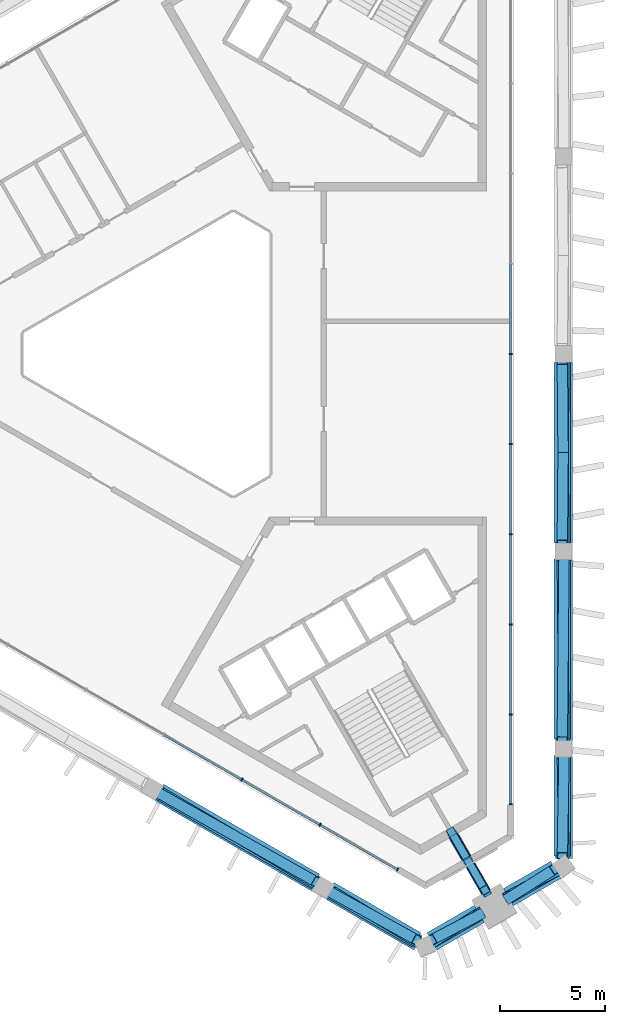
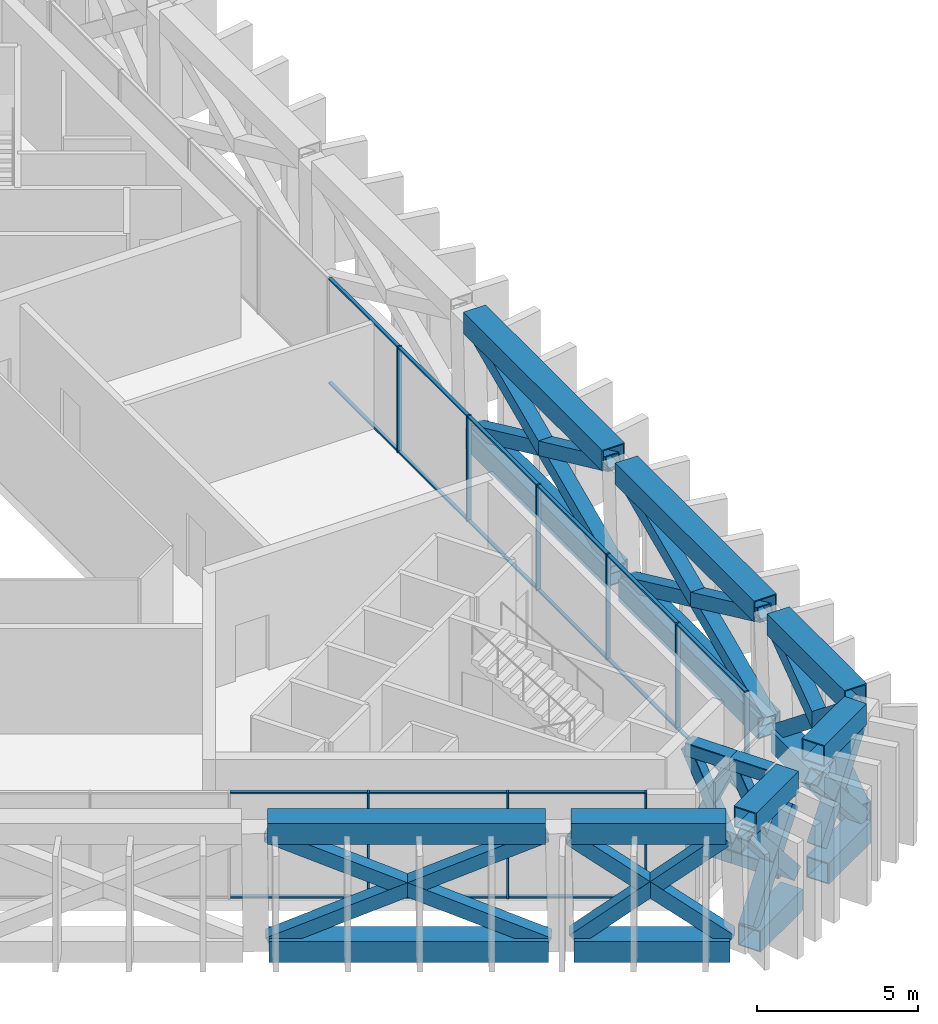
# One storey, part 4 of 12: 63 members, 2 elements without a shape of their own.
"""IFC4 building model written with IfcOpenShell, lengths in metres."""

from ifc_helpers import new_model, si_unit, direction, frame, origin, origin_2d, place, context, subcontext, project, spatial, rectangle, hollow_rectangle, extrude, material, layer, layer_set, material_profile, profile_set, type_object, element, aggregate, save


model = new_model("IFC4")

# Units and contexts
model_context = context("Model", 3, precision=1e-05, world=origin(), true_north=direction((0.0, 1.0)))
body_context = subcontext(model_context, "Body", "Model", "MODEL_VIEW")
ifc_project = project(units=[si_unit("LENGTHUNIT", "METRE"), si_unit("AREAUNIT", "SQUARE_METRE"), si_unit("VOLUMEUNIT", "CUBIC_METRE"), si_unit("PLANEANGLEUNIT", "RADIAN"), si_unit("MASSUNIT", "GRAM", prefix="KILO")], contexts=[model_context])

# Site, building, storey
site_placement = place(None, origin())
site = spatial("IfcSite", under=ifc_project, at=site_placement, CompositionType="ELEMENT")
building_placement = place(site_placement, origin())
building = spatial("IfcBuilding", under=site, at=building_placement, Name="Jabali Bay Hotel Tower and Convention Centre", CompositionType="ELEMENT")
storey_placement = place(building_placement, frame((0.0, 0.0, 300.39990234375)))
storey = spatial("IfcBuildingStorey", under=building, at=storey_placement, Name="L74", CompositionType="ELEMENT", Elevation=300.39990234375)

# Members
ifc_material_1 = material(Name="Steel Q420GJC", Category="steel")
ifc_material_profile_1 = material_profile(ifc_material_1, hollow_rectangle(XDim=0.5, YDim=0.5, WallThickness=0.030029296875, at=origin_2d()), Name="Belt brace 500x500x30")
ifc_profile_set_1 = profile_set([ifc_material_profile_1], Name="Steel Q420GJC")
member_type_1 = type_object("IfcMemberType", Name="Belt brace 500x500x30", PredefinedType="BRACE", material=ifc_profile_set_1)
member_1_placement = place(storey_placement, frame((74.2421875, 58.974853515625, 0.18798828125), z_axis=(0.788056243037, -0.445042764363, 0.425328456253), x_axis=(0.491738735816, 0.870742795375, 0.0)))
element("IfcMember", 1, at=member_1_placement, inside=storey, type_object=member_type_1, Name="Belt brace T6 F2.4-F2.5 x1", PredefinedType="BRACE", context=body_context, shape_type="SweptSolid", body=[
    extrude(hollow_rectangle(XDim=0.5, YDim=0.5, WallThickness=0.030029296875, at=origin_2d()), origin(), (0.0, 0.0, 1.0), 9.46142578125),
])
member_2_placement = place(storey_placement, frame((81.73876953125, 54.646728515625, 0.185302734375), z_axis=(-0.781610594153, 0.461060141076, 0.42012905805), x_axis=(-0.508075202316, -0.861312712545, 0.0)))
element("IfcMember", 2, at=member_2_placement, inside=storey, type_object=member_type_1, Name="Belt brace T6 F2.4-F2.5 x2", PredefinedType="BRACE", context=body_context, shape_type="SweptSolid", body=[
    extrude(hollow_rectangle(XDim=0.5, YDim=0.5, WallThickness=0.030029296875, at=origin_2d()), origin(), (0.0, 0.0, 1.0), 9.59130859375),
])
member_3_placement = place(storey_placement, frame((82.432861328125, 54.2490234375, 0.3203125), z_axis=(0.682381240318, -0.379371185455, 0.624846658396), x_axis=(0.485907655283, 0.874010154711, 0.0)))
element("IfcMember", 3, at=member_3_placement, inside=storey, type_object=member_type_1, Name="Belt brace T6 F2.5-V5 x1", PredefinedType="BRACE", context=body_context, shape_type="SweptSolid", body=[
    extrude(hollow_rectangle(XDim=0.5, YDim=0.5, WallThickness=0.030029296875, at=origin_2d()), origin(), (0.0, 0.0, 1.0), 6.01708984375),
])
member_4_placement = place(storey_placement, frame((86.611328125, 51.83642578125, 0.307861328125), z_axis=(-0.680158589643, 0.406930808505, 0.609747168935), x_axis=(-0.51341517996, -0.85814034574, 0.0)))
element("IfcMember", 4, at=member_4_placement, inside=storey, type_object=member_type_1, Name="Belt brace T6 F2.5-V5 x2", PredefinedType="BRACE", context=body_context, shape_type="SweptSolid", body=[
    extrude(hollow_rectangle(XDim=0.5, YDim=0.5, WallThickness=0.030029296875, at=origin_2d()), origin(), (0.0, 0.0, 1.0), 6.20654296875),
])
member_5_placement = place(storey_placement, frame((87.292724609375, 51.844970703125, 0.458984375), z_axis=(0.555236915082, 0.351223877534, 0.75389240345), x_axis=(-0.534589039241, 0.845112157718, 0.0)))
element("IfcMember", 5, at=member_5_placement, inside=storey, type_object=member_type_1, Name="Belt brace T6 V5-M2 x1", PredefinedType="BRACE", context=body_context, shape_type="SweptSolid", body=[
    extrude(hollow_rectangle(XDim=0.5, YDim=0.5, WallThickness=0.030029296875, at=origin_2d()), origin(), (0.0, 0.0, 1.0), 4.010009765625),
])
for number, where, z_axis, x_axis, name in (
    (6, (89.564208984375, 53.17529296875, 0.921142578125), (-0.580697559243, -0.304608205437, 0.754986215682), (0.464525419393, -0.885559786089, 0.0), "Belt brace T6 V5-M2 x2"),
    (7, (90.94873046875, 53.974609375, 0.921142578125), (0.554137713536, 0.35059561532, 0.754992787353), (-0.534662072622, 0.845065954881, 0.0), "Belt brace T6 M2-V0 x1"),
):
    element("IfcMember", number, at=place(storey_placement, frame(where, z_axis=z_axis, x_axis=x_axis)), inside=storey, type_object=member_type_1, Name=name, PredefinedType="BRACE", context=body_context, shape_type="SweptSolid", body=[
        extrude(hollow_rectangle(XDim=0.5, YDim=0.5, WallThickness=0.030029296875, at=origin_2d()), origin(), (0.0, 0.0, 1.0), 3.997802734375),
    ])
member_6_placement = place(storey_placement, frame((93.23681640625, 55.276611328125, 0.458984375), z_axis=(-0.58179025344, -0.305202442496, 0.753904218119), x_axis=(0.464550555432, -0.885546600382, 0.0)))
element("IfcMember", 8, at=member_6_placement, inside=storey, type_object=member_type_1, Name="Belt brace T6 M2-V0 x2", PredefinedType="BRACE", context=body_context, shape_type="SweptSolid", body=[
    extrude(hollow_rectangle(XDim=0.5, YDim=0.5, WallThickness=0.030029296875, at=origin_2d()), origin(), (0.0, 0.0, 1.0), 4.010009765625),
])
member_7_placement = place(storey_placement, frame((93.584716796875, 55.862548828125, 0.307861328125), z_axis=(-0.012312146795, 0.79250102709, 0.609746285845), x_axis=(-0.999879341117, -0.01553393725, 0.0)))
element("IfcMember", 9, at=member_7_placement, inside=storey, type_object=member_type_1, Name="Belt brace T6 V0-F0.1 x1", PredefinedType="BRACE", context=body_context, shape_type="SweptSolid", body=[
    extrude(hollow_rectangle(XDim=0.5, YDim=0.5, WallThickness=0.030029296875, at=origin_2d()), origin(), (0.0, 0.0, 1.0), 6.20654296875),
])
member_8_placement = place(storey_placement, frame((93.58447265625, 60.6875, 0.3203125), z_axis=(-0.012618586982, -0.780648275029, 0.6248432139), x_axis=(0.999869384249, -0.01616212986, 0.0)))
element("IfcMember", 10, at=member_8_placement, inside=storey, type_object=member_type_1, Name="Belt brace T6 V0-F0.1 x2", PredefinedType="BRACE", context=body_context, shape_type="SweptSolid", body=[
    extrude(hollow_rectangle(XDim=0.5, YDim=0.5, WallThickness=0.030029296875, at=origin_2d()), origin(), (0.0, 0.0, 1.0), 6.01708984375),
])
member_9_placement = place(storey_placement, frame((93.587158203125, 61.4873046875, 0.185302734375), z_axis=(-0.008476336813, 0.907426219337, 0.420125943229), x_axis=(-0.999956375009, -0.009340667982, 0.0)))
element("IfcMember", 11, at=member_9_placement, inside=storey, type_object=member_type_1, Name="Belt brace T6 F0.1-F0.2 x1", PredefinedType="BRACE", context=body_context, shape_type="SweptSolid", body=[
    extrude(hollow_rectangle(XDim=0.5, YDim=0.5, WallThickness=0.030029296875, at=origin_2d()), origin(), (0.0, 0.0, 1.0), 9.59130859375),
])
member_10_placement = place(storey_placement, frame((93.587158203125, 70.143798828125, 0.18798828125), z_axis=(-0.008592739082, -0.904998633867, 0.425327682539), x_axis=(0.999954927874, -0.009494325701, 0.0)))
element("IfcMember", 12, at=member_10_placement, inside=storey, type_object=member_type_1, Name="Belt brace T6 F0.1-F0.2 x2", PredefinedType="BRACE", context=body_context, shape_type="SweptSolid", body=[
    extrude(hollow_rectangle(XDim=0.5, YDim=0.5, WallThickness=0.030029296875, at=origin_2d()), origin(), (0.0, 0.0, 1.0), 9.46142578125),
])
member_11_placement = place(storey_placement, frame((93.587158203125, 70.943603515625, 0.186279296875), z_axis=(-0.008514812044, 0.90663570761, 0.421828391247), x_axis=(-0.999955901302, -0.009391243341, 0.0)))
element("IfcMember", 13, at=member_11_placement, inside=storey, type_object=member_type_1, Name="Belt brace T6 F0.2-F0.3 x1", PredefinedType="BRACE", context=body_context, shape_type="SweptSolid", body=[
    extrude(hollow_rectangle(XDim=0.5, YDim=0.5, WallThickness=0.030029296875, at=origin_2d()), origin(), (0.0, 0.0, 1.0), 9.5478515625),
])
member_12_placement = place(storey_placement, frame((93.587158203125, 79.60009765625, 0.187255859375), z_axis=(-0.008553514534, -0.905824895, 0.423565929918), x_axis=(0.999955419837, -0.009442369341, 0.0)))
element("IfcMember", 14, at=member_12_placement, inside=storey, type_object=member_type_1, Name="Belt brace T6 F0.2-F0.3 x2", PredefinedType="BRACE", context=body_context, shape_type="SweptSolid", body=[
    extrude(hollow_rectangle(XDim=0.5, YDim=0.5, WallThickness=0.030029296875, at=origin_2d()), origin(), (0.0, 0.0, 1.0), 9.504638671875),
])
ifc_material_profile_2 = material_profile(ifc_material_1, hollow_rectangle(XDim=0.800048828125, YDim=0.800048828125, WallThickness=0.0400390625, at=origin_2d()), Name="Belt chord 800x800x40")
ifc_profile_set_2 = profile_set([ifc_material_profile_2], Name="Steel Q420GJC")
member_type_2 = type_object("IfcMemberType", Name="Belt chord 800x800x40", PredefinedType="CHORD", material=ifc_profile_set_2)
member_13_placement = place(storey_placement, frame((74.240478515625, 58.9716796875, 0.0), z_axis=(0.866026837124, -0.499997517375, 0.0), x_axis=(0.499997517375, 0.866026837124, 0.0)))
element("IfcMember", 15, at=member_13_placement, inside=storey, type_object=member_type_2, Name="Belt chord T6 F2.4-F2.5", PredefinedType="CHORD", context=body_context, shape_type="SweptSolid", body=[
    extrude(hollow_rectangle(XDim=0.800048828125, YDim=0.800048828125, WallThickness=0.0400390625, at=origin_2d()), origin(), (0.0, 0.0, 1.0), 8.65625),
])
member_14_placement = place(storey_placement, frame((82.4296875, 54.243408203125, 0.0), z_axis=(0.866033069333, -0.499986722646, 0.0), x_axis=(0.499986722646, 0.866033069333, 0.0)))
element("IfcMember", 16, at=member_14_placement, inside=storey, type_object=member_type_2, Name="Belt chord T6 F2.5-V5", PredefinedType="CHORD", context=body_context, shape_type="SweptSolid", body=[
    extrude(hollow_rectangle(XDim=0.800048828125, YDim=0.800048828125, WallThickness=0.0400390625, at=origin_2d()), origin(), (0.0, 0.0, 1.0), 4.824951171875),
])
member_15_placement = place(storey_placement, frame((87.301025390625, 51.8310546875, 0.0), z_axis=(0.866048090802, 0.499960702874, 0.0), x_axis=(-0.499960702874, 0.866048090802, 0.0)))
element("IfcMember", 17, at=member_15_placement, inside=storey, type_object=member_type_2, Name="Belt chord T6 V5-M2", PredefinedType="CHORD", context=body_context, shape_type="SweptSolid", body=[
    extrude(hollow_rectangle(XDim=0.800048828125, YDim=0.800048828125, WallThickness=0.0400390625, at=origin_2d()), origin(), (0.0, 0.0, 1.0), 2.631591796875),
])
member_16_placement = place(storey_placement, frame((90.965576171875, 53.94677734375, 0.0), z_axis=(0.866024898077, 0.500000875909, 0.0), x_axis=(-0.500000875909, 0.866024898077, 0.0)))
element("IfcMember", 18, at=member_16_placement, inside=storey, type_object=member_type_2, Name="Belt chord T6 M2-V0", PredefinedType="CHORD", context=body_context, shape_type="SweptSolid", body=[
    extrude(hollow_rectangle(XDim=0.800048828125, YDim=0.800048828125, WallThickness=0.0400390625, at=origin_2d()), origin(), (0.0, 0.0, 1.0), 2.63134765625),
])
member_17_placement = place(storey_placement, frame((93.5908203125, 55.862548828125, 0.0), z_axis=(0.0, 1.0, 0.0), x_axis=(-1.0, 0.0, 0.0)))
element("IfcMember", 19, at=member_17_placement, inside=storey, type_object=member_type_2, Name="Belt chord T6 V0-F0.1", PredefinedType="CHORD", context=body_context, shape_type="SweptSolid", body=[
    extrude(hollow_rectangle(XDim=0.800048828125, YDim=0.800048828125, WallThickness=0.0400390625, at=origin_2d()), origin(), (0.0, 0.0, 1.0), 4.82470703125),
])
for number, where, z_axis, x_axis, name in (
    (20, (93.5908203125, 61.4873046875, 0.0), (0.0, 1.0, 0.0), (-1.0, 0.0, 0.0), "Belt chord T6 F0.1-F0.2"),
    (21, (93.5908203125, 70.943603515625, 0.0), (0.0, 1.0, 0.0), (-1.0, 0.0, 0.0), "Belt chord T6 F0.2-F0.3"),
):
    element("IfcMember", number, at=place(storey_placement, frame(where, z_axis=z_axis, x_axis=x_axis)), inside=storey, type_object=member_type_2, Name=name, PredefinedType="CHORD", context=body_context, shape_type="SweptSolid", body=[
        extrude(hollow_rectangle(XDim=0.800048828125, YDim=0.800048828125, WallThickness=0.0400390625, at=origin_2d()), origin(), (0.0, 0.0, 1.0), 8.656494140625),
    ])
member_18_placement = place(storey_placement, frame((74.244140625, 59.072021484375, 4.400146484375), z_axis=(0.866028807769, -0.499994104079, 0.0), x_axis=(0.499994104079, 0.866028807769, 0.0)))
element("IfcMember", 22, at=member_18_placement, inside=storey, type_object=member_type_2, Name="Belt chord T6 F2.4-F2.5", PredefinedType="CHORD", context=body_context, shape_type="SweptSolid", body=[
    extrude(hollow_rectangle(XDim=0.800048828125, YDim=0.800048828125, WallThickness=0.0400390625, at=origin_2d()), origin(), (0.0, 0.0, 1.0), 8.609375),
])
member_19_placement = place(storey_placement, frame((82.392822265625, 54.367431640625, 4.400146484375), z_axis=(0.86602690036, -0.499997407846, 0.0), x_axis=(0.499997407846, 0.86602690036, 0.0)))
element("IfcMember", 23, at=member_19_placement, inside=storey, type_object=member_type_2, Name="Belt chord T6 F2.5-V5", PredefinedType="CHORD", context=body_context, shape_type="SweptSolid", body=[
    extrude(hollow_rectangle(XDim=0.800048828125, YDim=0.800048828125, WallThickness=0.0400390625, at=origin_2d()), origin(), (0.0, 0.0, 1.0), 4.791015625),
])
for number, where, z_axis, x_axis, name in (
    (24, (87.23486328125, 51.971923828125, 4.400146484375), (0.866042736469, 0.499969977708, 0.0), (-0.499969977708, 0.866042736469, 0.0), "Belt chord T6 V5-M2"),
    (25, (90.88818359375, 54.0810546875, 4.400146484375), (0.866042736469, 0.499969977708, 0.0), (-0.499969977708, 0.866042736469, 0.0), "Belt chord T6 M2-V0"),
):
    element("IfcMember", number, at=place(storey_placement, frame(where, z_axis=z_axis, x_axis=x_axis)), inside=storey, type_object=member_type_2, Name=name, PredefinedType="CHORD", context=body_context, shape_type="SweptSolid", body=[
        extrude(hollow_rectangle(XDim=0.800048828125, YDim=0.800048828125, WallThickness=0.0400390625, at=origin_2d()), origin(), (0.0, 0.0, 1.0), 2.618408203125),
    ])
member_20_placement = place(storey_placement, frame((93.502197265625, 55.990234375, 4.400146484375), z_axis=(0.0, 1.0, 0.0), x_axis=(-1.0, 0.0, 0.0)))
element("IfcMember", 26, at=member_20_placement, inside=storey, type_object=member_type_2, Name="Belt chord T6 V0-F0.1", PredefinedType="CHORD", context=body_context, shape_type="SweptSolid", body=[
    extrude(hollow_rectangle(XDim=0.800048828125, YDim=0.800048828125, WallThickness=0.0400390625, at=origin_2d()), origin(), (0.0, 0.0, 1.0), 4.791015625),
])
for number, where, z_axis, x_axis, name in (
    (27, (93.502197265625, 61.581298828125, 4.400146484375), (0.0, 1.0, 0.0), (-1.0, 0.0, 0.0), "Belt chord T6 F0.1-F0.2"),
    (28, (93.502197265625, 70.99072265625, 4.400146484375), (0.0, 1.0, 0.0), (-1.0, 0.0, 0.0), "Belt chord T6 F0.2-F0.3"),
):
    element("IfcMember", number, at=place(storey_placement, frame(where, z_axis=z_axis, x_axis=x_axis)), inside=storey, type_object=member_type_2, Name=name, PredefinedType="CHORD", context=body_context, shape_type="SweptSolid", body=[
        extrude(hollow_rectangle(XDim=0.800048828125, YDim=0.800048828125, WallThickness=0.0400390625, at=origin_2d()), origin(), (0.0, 0.0, 1.0), 8.609375),
    ])

# Curtain wall, members
ifc_material_2 = material(Name="Aluminium and glass", Category="aluminium")
ifc_layer = layer(ifc_material_2, 0.159912109375)
ifc_layer_set = layer_set([ifc_layer], Name="Aluminium and glass")
curtain_wall_type = type_object("IfcCurtainWallType", Name="CW3 curtain wall", PredefinedType="NOTDEFINED", material=ifc_layer_set)
curtain_wall_1_placement = place(storey_placement, origin())
curtain_wall_1 = element("IfcCurtainWall", 29, at=curtain_wall_1_placement, inside=storey, type_object=curtain_wall_type, Name="CW3 curtain wall east face L74", PredefinedType="NOTDEFINED")
ifc_material_3 = material(Name="Aluminium", Category="aluminium")
ifc_material_profile_3 = material_profile(ifc_material_3, rectangle(XDim=0.159912109375, YDim=0.06005859375, at=origin_2d()), Name="CW3 mullion 60 x 160")
ifc_profile_set_3 = profile_set([ifc_material_profile_3], Name="Aluminium")
member_type_3 = type_object("IfcMemberType", Name="CW3 mullion 60 x 160", PredefinedType="MULLION", material=ifc_profile_set_3)
member_21_placement = place(storey_placement, frame((91.041015625, 80.0, 0.0), z_axis=(0.0, 0.0, 1.0), x_axis=(1.0, 0.0, 0.0)))
member_21 = element("IfcMember", 30, at=member_21_placement, type_object=member_type_3, Name="CW3 mullion 6", PredefinedType="MULLION", context=body_context, shape_type="SweptSolid", body=[
    extrude(rectangle(XDim=0.159912109375, YDim=0.06005859375, at=origin_2d()), origin(), (0.0, 0.0, 1.0), 4.0),
])
member_22_placement = place(storey_placement, frame((91.041015625, 75.68701171875, 0.0), z_axis=(0.0, 0.0, 1.0), x_axis=(1.0, 0.0, 0.0)))
member_22 = element("IfcMember", 31, at=member_22_placement, type_object=member_type_3, Name="CW3 mullion 7", PredefinedType="MULLION", context=body_context, shape_type="SweptSolid", body=[
    extrude(rectangle(XDim=0.159912109375, YDim=0.06005859375, at=origin_2d()), origin(), (0.0, 0.0, 1.0), 4.0),
])
member_23_placement = place(storey_placement, frame((91.041015625, 71.373779296875, 0.0), z_axis=(0.0, 0.0, 1.0), x_axis=(1.0, 0.0, 0.0)))
member_23 = element("IfcMember", 32, at=member_23_placement, type_object=member_type_3, Name="CW3 mullion 8", PredefinedType="MULLION", context=body_context, shape_type="SweptSolid", body=[
    extrude(rectangle(XDim=0.159912109375, YDim=0.06005859375, at=origin_2d()), origin(), (0.0, 0.0, 1.0), 4.0),
])
member_24_placement = place(storey_placement, frame((91.041015625, 67.060791015625, 0.0), z_axis=(0.0, 0.0, 1.0), x_axis=(1.0, 0.0, 0.0)))
member_24 = element("IfcMember", 33, at=member_24_placement, type_object=member_type_3, Name="CW3 mullion 9", PredefinedType="MULLION", context=body_context, shape_type="SweptSolid", body=[
    extrude(rectangle(XDim=0.159912109375, YDim=0.06005859375, at=origin_2d()), origin(), (0.0, 0.0, 1.0), 4.0),
])
member_25_placement = place(storey_placement, frame((91.041015625, 62.747802734375, 0.0), z_axis=(0.0, 0.0, 1.0), x_axis=(1.0, 0.0, 0.0)))
member_25 = element("IfcMember", 34, at=member_25_placement, type_object=member_type_3, Name="CW3 mullion 10", PredefinedType="MULLION", context=body_context, shape_type="SweptSolid", body=[
    extrude(rectangle(XDim=0.159912109375, YDim=0.06005859375, at=origin_2d()), origin(), (0.0, 0.0, 1.0), 4.0),
])
member_26_placement = place(storey_placement, frame((91.041015625, 58.46484375, 0.0), z_axis=(0.0, 0.0, 1.0), x_axis=(1.0, 0.0, 0.0)))
member_26 = element("IfcMember", 35, at=member_26_placement, type_object=member_type_3, Name="CW3 mullion 11", PredefinedType="MULLION", context=body_context, shape_type="SweptSolid", body=[
    extrude(rectangle(XDim=0.159912109375, YDim=0.06005859375, at=origin_2d()), origin(), (0.0, 0.0, 1.0), 4.0),
])

curtain_wall_2_placement = place(storey_placement, origin())
curtain_wall_2 = element("IfcCurtainWall", 36, at=curtain_wall_2_placement, inside=storey, type_object=curtain_wall_type, Name="CW3 curtain wall south-west face L74", PredefinedType="NOTDEFINED")
member_27_placement = place(storey_placement, frame((85.629638671875, 55.340576171875, 0.0), z_axis=(0.0, 0.0, 1.0), x_axis=(-0.500000004882, -0.866025400966, 0.0)))
member_27 = element("IfcMember", 37, at=member_27_placement, type_object=member_type_3, Name="CW3 mullion 1", PredefinedType="MULLION", context=body_context, shape_type="SweptSolid", body=[
    extrude(rectangle(XDim=0.159912109375, YDim=0.06005859375, at=origin_2d()), origin(), (0.0, 0.0, 1.0), 4.0),
])
member_28_placement = place(storey_placement, frame((81.92041015625, 57.48193359375, 0.0), z_axis=(0.0, 0.0, 1.0), x_axis=(-0.500000004882, -0.866025400966, 0.0)))
member_28 = element("IfcMember", 38, at=member_28_placement, type_object=member_type_3, Name="CW3 mullion 2", PredefinedType="MULLION", context=body_context, shape_type="SweptSolid", body=[
    extrude(rectangle(XDim=0.159912109375, YDim=0.06005859375, at=origin_2d()), origin(), (0.0, 0.0, 1.0), 4.0),
])
member_29_placement = place(storey_placement, frame((78.185302734375, 59.638671875, 0.0), z_axis=(0.0, 0.0, 1.0), x_axis=(-0.500000004882, -0.866025400966, 0.0)))
member_29 = element("IfcMember", 39, at=member_29_placement, type_object=member_type_3, Name="CW3 mullion 3", PredefinedType="MULLION", context=body_context, shape_type="SweptSolid", body=[
    extrude(rectangle(XDim=0.159912109375, YDim=0.06005859375, at=origin_2d()), origin(), (0.0, 0.0, 1.0), 4.0),
])

# Member
ifc_material_profile_4 = material_profile(ifc_material_3, rectangle(XDim=0.1201171875, YDim=0.06005859375, at=origin_2d()), Name="CW3 transom 60 x 120")
ifc_profile_set_4 = profile_set([ifc_material_profile_4], Name="Aluminium")
member_type_4 = type_object("IfcMemberType", Name="CW3 transom 60 x 120", PredefinedType="USERDEFINED", material=ifc_profile_set_4)
member_30_placement = place(storey_placement, frame((91.041015625, 84.282958984375, 0.030029296875), z_axis=(0.0, -1.0, 0.0), x_axis=(1.0, 0.0, 0.0)))
member_30 = element("IfcMember", 40, at=member_30_placement, type_object=member_type_4, Name="CW3 transom 5.1", ObjectType="TRANSOM", PredefinedType="USERDEFINED", context=body_context, shape_type="SweptSolid", body=[
    extrude(rectangle(XDim=0.1201171875, YDim=0.06005859375, at=origin_2d()), origin(), (0.0, 0.0, 1.0), 4.2529296875),
])

member_31_placement = place(storey_placement, frame((91.041015625, 84.282958984375, 3.97021484375), z_axis=(0.0, -1.0, 0.0), x_axis=(1.0, 0.0, 0.0)))
member_31 = element("IfcMember", 41, at=member_31_placement, type_object=member_type_4, Name="CW3 transom 5.2", ObjectType="TRANSOM", PredefinedType="USERDEFINED", context=body_context, shape_type="SweptSolid", body=[
    extrude(rectangle(XDim=0.1201171875, YDim=0.06005859375, at=origin_2d()), origin(), (0.0, 0.0, 1.0), 4.2529296875),
])

member_32_placement = place(storey_placement, frame((91.041015625, 79.969970703125, 0.030029296875), z_axis=(0.0, -1.0, 0.0), x_axis=(1.0, 0.0, 0.0)))
member_32 = element("IfcMember", 42, at=member_32_placement, type_object=member_type_4, Name="CW3 transom 6.1", ObjectType="TRANSOM", PredefinedType="USERDEFINED", context=body_context, shape_type="SweptSolid", body=[
    extrude(rectangle(XDim=0.1201171875, YDim=0.06005859375, at=origin_2d()), origin(), (0.0, 0.0, 1.0), 4.2529296875),
])

member_33_placement = place(storey_placement, frame((91.041015625, 79.969970703125, 3.97021484375), z_axis=(0.0, -1.0, 0.0), x_axis=(1.0, 0.0, 0.0)))
member_33 = element("IfcMember", 43, at=member_33_placement, type_object=member_type_4, Name="CW3 transom 6.2", ObjectType="TRANSOM", PredefinedType="USERDEFINED", context=body_context, shape_type="SweptSolid", body=[
    extrude(rectangle(XDim=0.1201171875, YDim=0.06005859375, at=origin_2d()), origin(), (0.0, 0.0, 1.0), 4.2529296875),
])

member_34_placement = place(storey_placement, frame((91.041015625, 75.656982421875, 0.030029296875), z_axis=(0.0, -1.0, 0.0), x_axis=(1.0, 0.0, 0.0)))
member_34 = element("IfcMember", 44, at=member_34_placement, type_object=member_type_4, Name="CW3 transom 7.1", ObjectType="TRANSOM", PredefinedType="USERDEFINED", context=body_context, shape_type="SweptSolid", body=[
    extrude(rectangle(XDim=0.1201171875, YDim=0.06005859375, at=origin_2d()), origin(), (0.0, 0.0, 1.0), 4.253173828125),
])

member_35_placement = place(storey_placement, frame((91.041015625, 75.656982421875, 3.97021484375), z_axis=(0.0, -1.0, 0.0), x_axis=(1.0, 0.0, 0.0)))
member_35 = element("IfcMember", 45, at=member_35_placement, type_object=member_type_4, Name="CW3 transom 7.2", ObjectType="TRANSOM", PredefinedType="USERDEFINED", context=body_context, shape_type="SweptSolid", body=[
    extrude(rectangle(XDim=0.1201171875, YDim=0.06005859375, at=origin_2d()), origin(), (0.0, 0.0, 1.0), 4.253173828125),
])

member_36_placement = place(storey_placement, frame((91.041015625, 71.343994140625, 0.030029296875), z_axis=(0.0, -1.0, 0.0), x_axis=(1.0, 0.0, 0.0)))
member_36 = element("IfcMember", 46, at=member_36_placement, type_object=member_type_4, Name="CW3 transom 8.1", ObjectType="TRANSOM", PredefinedType="USERDEFINED", context=body_context, shape_type="SweptSolid", body=[
    extrude(rectangle(XDim=0.1201171875, YDim=0.06005859375, at=origin_2d()), origin(), (0.0, 0.0, 1.0), 4.253173828125),
])

member_37_placement = place(storey_placement, frame((91.041015625, 71.343994140625, 3.97021484375), z_axis=(0.0, -1.0, 0.0), x_axis=(1.0, 0.0, 0.0)))
member_37 = element("IfcMember", 47, at=member_37_placement, type_object=member_type_4, Name="CW3 transom 8.2", ObjectType="TRANSOM", PredefinedType="USERDEFINED", context=body_context, shape_type="SweptSolid", body=[
    extrude(rectangle(XDim=0.1201171875, YDim=0.06005859375, at=origin_2d()), origin(), (0.0, 0.0, 1.0), 4.253173828125),
])

member_38_placement = place(storey_placement, frame((91.041015625, 67.03076171875, 0.030029296875), z_axis=(0.0, -1.0, 0.0), x_axis=(1.0, 0.0, 0.0)))
member_38 = element("IfcMember", 48, at=member_38_placement, type_object=member_type_4, Name="CW3 transom 9.1", ObjectType="TRANSOM", PredefinedType="USERDEFINED", context=body_context, shape_type="SweptSolid", body=[
    extrude(rectangle(XDim=0.1201171875, YDim=0.06005859375, at=origin_2d()), origin(), (0.0, 0.0, 1.0), 4.2529296875),
])

member_39_placement = place(storey_placement, frame((91.041015625, 67.03076171875, 3.97021484375), z_axis=(0.0, -1.0, 0.0), x_axis=(1.0, 0.0, 0.0)))
member_39 = element("IfcMember", 49, at=member_39_placement, type_object=member_type_4, Name="CW3 transom 9.2", ObjectType="TRANSOM", PredefinedType="USERDEFINED", context=body_context, shape_type="SweptSolid", body=[
    extrude(rectangle(XDim=0.1201171875, YDim=0.06005859375, at=origin_2d()), origin(), (0.0, 0.0, 1.0), 4.2529296875),
])

member_40_placement = place(storey_placement, frame((91.041015625, 62.7177734375, 0.030029296875), z_axis=(0.0, -1.0, 0.0), x_axis=(1.0, 0.0, 0.0)))
member_40 = element("IfcMember", 50, at=member_40_placement, type_object=member_type_4, Name="CW3 transom 10.1", ObjectType="TRANSOM", PredefinedType="USERDEFINED", context=body_context, shape_type="SweptSolid", body=[
    extrude(rectangle(XDim=0.1201171875, YDim=0.06005859375, at=origin_2d()), origin(), (0.0, 0.0, 1.0), 4.22314453125),
])

member_41_placement = place(storey_placement, frame((91.041015625, 62.7177734375, 3.97021484375), z_axis=(0.0, -1.0, 0.0), x_axis=(1.0, 0.0, 0.0)))
member_41 = element("IfcMember", 51, at=member_41_placement, type_object=member_type_4, Name="CW3 transom 10.2", ObjectType="TRANSOM", PredefinedType="USERDEFINED", context=body_context, shape_type="SweptSolid", body=[
    extrude(rectangle(XDim=0.1201171875, YDim=0.06005859375, at=origin_2d()), origin(), (0.0, 0.0, 1.0), 4.22314453125),
])

aggregate(curtain_wall_1, [member_21, member_22, member_23, member_24, member_25, member_26, member_30, member_31, member_32, member_33, member_34, member_35, member_36, member_37, member_38, member_39, member_40, member_41])

member_42_placement = place(storey_placement, frame((85.603759765625, 55.35546875, 0.030029296875), z_axis=(-0.86603252234, 0.499987670097, 0.0), x_axis=(-0.499987670097, -0.86603252234, 0.0)))
member_42 = element("IfcMember", 52, at=member_42_placement, type_object=member_type_4, Name="CW3 transom 1.1", ObjectType="TRANSOM", PredefinedType="USERDEFINED", context=body_context, shape_type="SweptSolid", body=[
    extrude(rectangle(XDim=0.1201171875, YDim=0.06005859375, at=origin_2d()), origin(), (0.0, 0.0, 1.0), 4.22314453125),
])

member_43_placement = place(storey_placement, frame((85.603759765625, 55.35546875, 3.97021484375), z_axis=(-0.86603252234, 0.499987670097, 0.0), x_axis=(-0.499987670097, -0.86603252234, 0.0)))
member_43 = element("IfcMember", 53, at=member_43_placement, type_object=member_type_4, Name="CW3 transom 1.2", ObjectType="TRANSOM", PredefinedType="USERDEFINED", context=body_context, shape_type="SweptSolid", body=[
    extrude(rectangle(XDim=0.1201171875, YDim=0.06005859375, at=origin_2d()), origin(), (0.0, 0.0, 1.0), 4.22314453125),
])

member_44_placement = place(storey_placement, frame((81.89453125, 57.4970703125, 0.030029296875), z_axis=(-0.866037421778, 0.499979183647, 0.0), x_axis=(-0.499979183647, -0.866037421778, 0.0)))
member_44 = element("IfcMember", 54, at=member_44_placement, type_object=member_type_4, Name="CW3 transom 2.1", ObjectType="TRANSOM", PredefinedType="USERDEFINED", context=body_context, shape_type="SweptSolid", body=[
    extrude(rectangle(XDim=0.1201171875, YDim=0.06005859375, at=origin_2d()), origin(), (0.0, 0.0, 1.0), 4.253173828125),
])

member_45_placement = place(storey_placement, frame((81.89453125, 57.4970703125, 3.97021484375), z_axis=(-0.866037421778, 0.499979183647, 0.0), x_axis=(-0.499979183647, -0.866037421778, 0.0)))
member_45 = element("IfcMember", 55, at=member_45_placement, type_object=member_type_4, Name="CW3 transom 2.2", ObjectType="TRANSOM", PredefinedType="USERDEFINED", context=body_context, shape_type="SweptSolid", body=[
    extrude(rectangle(XDim=0.1201171875, YDim=0.06005859375, at=origin_2d()), origin(), (0.0, 0.0, 1.0), 4.253173828125),
])

member_46_placement = place(storey_placement, frame((78.1591796875, 59.653564453125, 0.030029296875), z_axis=(-0.86602307118, 0.500004040168, 0.0), x_axis=(-0.500004040168, -0.86602307118, 0.0)))
member_46 = element("IfcMember", 56, at=member_46_placement, type_object=member_type_4, Name="CW3 transom 3.1", ObjectType="TRANSOM", PredefinedType="USERDEFINED", context=body_context, shape_type="SweptSolid", body=[
    extrude(rectangle(XDim=0.1201171875, YDim=0.06005859375, at=origin_2d()), origin(), (0.0, 0.0, 1.0), 4.2529296875),
])

member_47_placement = place(storey_placement, frame((78.1591796875, 59.653564453125, 3.97021484375), z_axis=(-0.86602307118, 0.500004040168, 0.0), x_axis=(-0.500004040168, -0.86602307118, 0.0)))
member_47 = element("IfcMember", 57, at=member_47_placement, type_object=member_type_4, Name="CW3 transom 3.2", ObjectType="TRANSOM", PredefinedType="USERDEFINED", context=body_context, shape_type="SweptSolid", body=[
    extrude(rectangle(XDim=0.1201171875, YDim=0.06005859375, at=origin_2d()), origin(), (0.0, 0.0, 1.0), 4.2529296875),
])

aggregate(curtain_wall_2, [member_27, member_28, member_29, member_42, member_43, member_44, member_45, member_46, member_47])

# Members
ifc_material_profile_5 = material_profile(ifc_material_1, hollow_rectangle(XDim=0.39990234375, YDim=0.39990234375, WallThickness=0.011962890625, InnerFilletRadius=0.01806640625, OuterFilletRadius=0.030029296875, at=origin_2d()), Name="Outrigger brace 400x400x12")
ifc_profile_set_5 = profile_set([ifc_material_profile_5], Name="Steel Q420GJC")
member_type_5 = type_object("IfcMemberType", Name="Outrigger brace 400x400x12", PredefinedType="BRACE", material=ifc_profile_set_5)
member_48_placement = place(storey_placement, frame((88.20166015625, 57.13427734375, 0.25), z_axis=(0.208411109048, -0.361026119537, 0.908969169245), x_axis=(0.866053882819, 0.499950669621, 0.0)))
element("IfcMember", 58, at=member_48_placement, inside=storey, type_object=member_type_5, Name="Outrigger brace T6 3.1x1", PredefinedType="BRACE", context=body_context, shape_type="SweptSolid", body=[
    extrude(hollow_rectangle(XDim=0.39990234375, YDim=0.39990234375, WallThickness=0.011962890625, InnerFilletRadius=0.01806640625, OuterFilletRadius=0.030029296875, at=origin_2d()), origin(), (0.0, 0.0, 1.0), 3.8505859375),
])
member_49_placement = place(storey_placement, frame((89.034912109375, 55.690673828125, 0.25), z_axis=(-0.214942063227, 0.372385707548, 0.902844833994), x_axis=(-0.866080712882, -0.499904189594, 0.0)))
element("IfcMember", 59, at=member_49_placement, inside=storey, type_object=member_type_5, Name="Outrigger brace T6 3.1x2", PredefinedType="BRACE", context=body_context, shape_type="SweptSolid", body=[
    extrude(hollow_rectangle(XDim=0.39990234375, YDim=0.39990234375, WallThickness=0.011962890625, InnerFilletRadius=0.01806640625, OuterFilletRadius=0.030029296875, at=origin_2d()), origin(), (0.0, 0.0, 1.0), 3.876708984375),
])
member_50_placement = place(storey_placement, frame((89.034912109375, 55.690673828125, 0.25), z_axis=(0.20174787593, -0.349436767073, 0.914981825161), x_axis=(0.866024905415, 0.5000008632, 0.0)))
element("IfcMember", 60, at=member_50_placement, inside=storey, type_object=member_type_5, Name="Outrigger brace T6 3.2x1", PredefinedType="BRACE", context=body_context, shape_type="SweptSolid", body=[
    extrude(hollow_rectangle(XDim=0.39990234375, YDim=0.39990234375, WallThickness=0.011962890625, InnerFilletRadius=0.01806640625, OuterFilletRadius=0.030029296875, at=origin_2d()), origin(), (0.0, 0.0, 1.0), 3.8251953125),
])
member_51_placement = place(storey_placement, frame((89.868408203125, 54.247314453125, 0.25), z_axis=(-0.221405013126, 0.383455970473, 0.896627759369), x_axis=(-0.866009164463, -0.500028126276, 0.0)))
element("IfcMember", 61, at=member_51_placement, inside=storey, type_object=member_type_5, Name="Outrigger brace T6 3.2x2", PredefinedType="BRACE", context=body_context, shape_type="SweptSolid", body=[
    extrude(hollow_rectangle(XDim=0.39990234375, YDim=0.39990234375, WallThickness=0.011962890625, InnerFilletRadius=0.01806640625, OuterFilletRadius=0.030029296875, at=origin_2d()), origin(), (0.0, 0.0, 1.0), 3.903564453125),
])
ifc_material_profile_6 = material_profile(ifc_material_1, hollow_rectangle(XDim=0.5, YDim=0.5, WallThickness=0.01611328125, InnerFilletRadius=0.02392578125, OuterFilletRadius=0.0400390625, at=origin_2d()), Name="Outrigger chord 500x500x16")
ifc_profile_set_6 = profile_set([ifc_material_profile_6], Name="Steel Q420GJC")
member_type_6 = type_object("IfcMemberType", Name="Outrigger chord 500x500x16", PredefinedType="CHORD", material=ifc_profile_set_6)
for number, where, z_axis, x_axis, name in (
    (62, (88.20166015625, 57.13427734375, 0.25), (0.499904189594, -0.866080712882, 0.0), (0.866080712882, 0.499904189594, 0.0), "Outrigger chord T6 3.lo1"),
    (63, (89.034912109375, 55.690673828125, 0.25), (0.500077471398, -0.865980671032, 0.0), (0.865980671032, 0.500077471398, 0.0), "Outrigger chord T6 3.lo2"),
):
    element("IfcMember", number, at=place(storey_placement, frame(where, z_axis=z_axis, x_axis=x_axis)), inside=storey, type_object=member_type_6, Name=name, PredefinedType="CHORD", context=body_context, shape_type="SweptSolid", body=[
        extrude(hollow_rectangle(XDim=0.5, YDim=0.5, WallThickness=0.01611328125, InnerFilletRadius=0.02392578125, OuterFilletRadius=0.0400390625, at=origin_2d()), origin(), (0.0, 0.0, 1.0), 1.666748046875),
    ])
for number, where, z_axis, x_axis, name in (
    (64, (88.20166015625, 57.13427734375, 3.75), (0.499950669621, -0.866053882819, 0.0), (0.866053882819, 0.499950669621, 0.0), "Outrigger chord T6 3.hi1"),
    (65, (89.004150390625, 55.744140625, 3.75), (0.499950669621, -0.866053882819, 0.0), (0.866053882819, 0.499950669621, 0.0), "Outrigger chord T6 3.hi2"),
):
    element("IfcMember", number, at=place(storey_placement, frame(where, z_axis=z_axis, x_axis=x_axis)), inside=storey, type_object=member_type_6, Name=name, PredefinedType="CHORD", context=body_context, shape_type="SweptSolid", body=[
        extrude(hollow_rectangle(XDim=0.5, YDim=0.5, WallThickness=0.01611328125, InnerFilletRadius=0.02392578125, OuterFilletRadius=0.0400390625, at=origin_2d()), origin(), (0.0, 0.0, 1.0), 1.605224609375),
    ])

save(model, "model.ifc")
